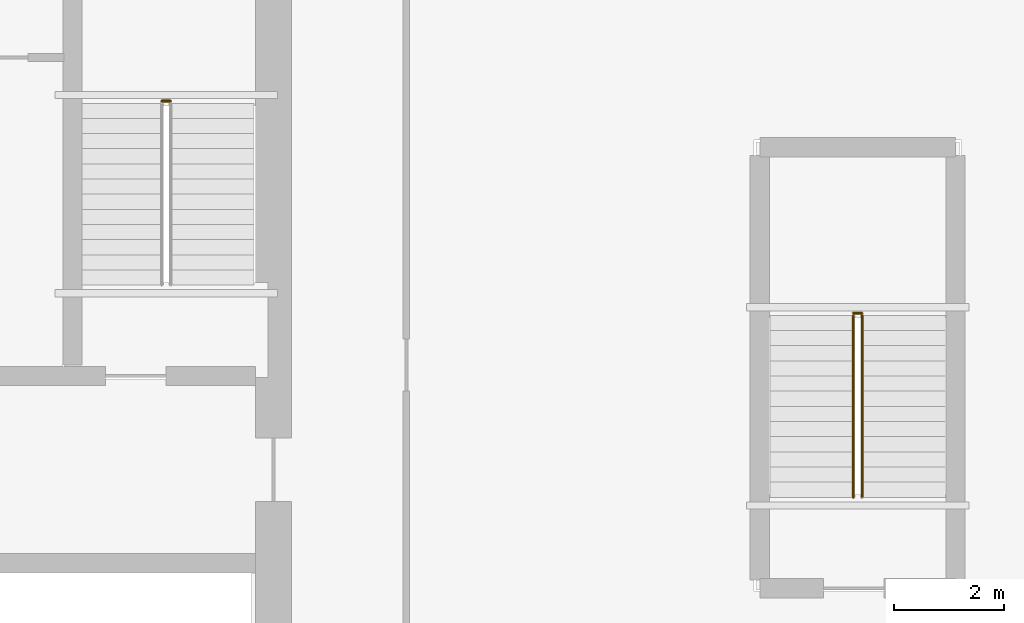
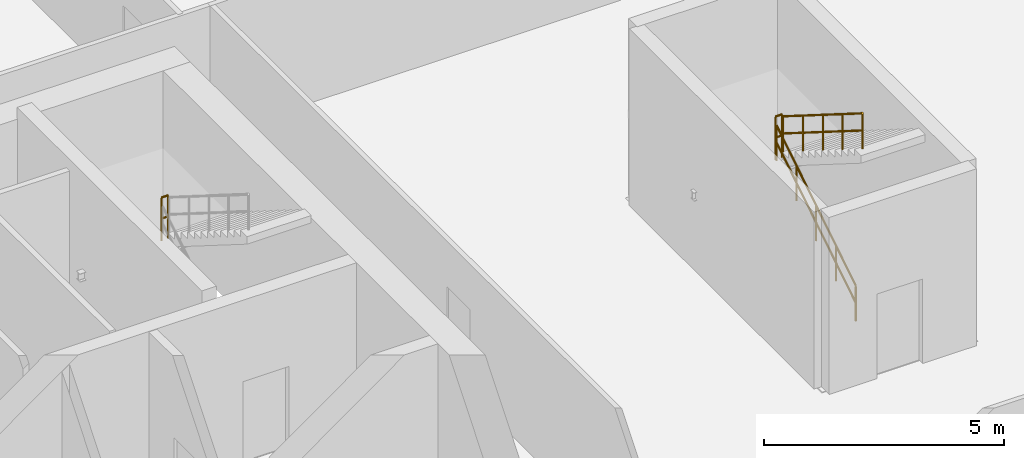
# One storey, part 31 of 31: 4 railings.
"""IFC4 building model written with IfcOpenShell, lengths in metres."""

from ifc_helpers import new_model, si_unit, direction, frame, origin, origin_2d, place, context, subcontext, project, spatial, circle, extrude, material, type_object, element, save


model = new_model("IFC4")

# Units and contexts
model_context = context("Model", 3, precision=1e-05, world=origin(), true_north=direction((0.0, 1.0)))
body_context = subcontext(model_context, "Body", "Model", "MODEL_VIEW")
ifc_project = project(units=[si_unit("LENGTHUNIT", "METRE"), si_unit("AREAUNIT", "SQUARE_METRE"), si_unit("VOLUMEUNIT", "CUBIC_METRE"), si_unit("PLANEANGLEUNIT", "RADIAN"), si_unit("MASSUNIT", "GRAM", prefix="KILO")], contexts=[model_context])

# Site, building, storey
site_placement = place(None, origin())
site = spatial("IfcSite", under=ifc_project, at=site_placement, CompositionType="ELEMENT")
building_placement = place(site_placement, origin())
building = spatial("IfcBuilding", under=site, at=building_placement, Name="Caelvoria Tower", CompositionType="ELEMENT")
storey_placement = place(building_placement, frame((0.0, 0.0, 9.5)))
storey = spatial("IfcBuildingStorey", under=building, at=storey_placement, Name="L02", CompositionType="ELEMENT", Elevation=9.5)

# Railings
ifc_material_1 = material(Name="Brushed Stainless Steel Tube", Category="steel")
railing_type_1 = type_object("IfcRailingType", Name="Stair Tubular Stainless Handrail 920", PredefinedType="HANDRAIL", material=ifc_material_1)
railing_1_placement = place(storey_placement, frame((65.52001953125, 29.60009765625, 0.173095703125)))
element("IfcRailing", 1, at=railing_1_placement, inside=storey, type_object=railing_type_1, Name="ST-04 Flight 1 Handrail L02", PredefinedType="HANDRAIL", context=body_context, shape_type="SweptSolid", body=[
    extrude(circle(Radius=0.02392578125, at=origin_2d()), frame((0.0, 0.0, 0.89599609375), z_axis=(0.0, 0.846319618018, 0.532675421018), x_axis=(-1.0, 0.0, 0.0)), (0.0, 0.0, 1.0), 3.89892578125),
    extrude(circle(Radius=0.02392578125, at=origin_2d()), frame((0.0, 0.0, 0.4599609375), z_axis=(0.0, 0.846319618018, 0.532675421018), x_axis=(-1.0, 0.0, 0.0)), (0.0, 0.0, 1.0), 3.89892578125),
    extrude(circle(Radius=0.02099609375, at=origin_2d()), origin(), (0.0, 0.0, 1.0), 0.871826171875),
    extrude(circle(Radius=0.02099609375, at=origin_2d()), frame((0.0, 0.824951171875, 0.519287109375)), (0.0, 0.0, 1.0), 0.871826171875),
    extrude(circle(Radius=0.02099609375, at=origin_2d()), frame((0.0, 1.64990234375, 1.03857421875)), (0.0, 0.0, 1.0), 0.871826171875),
    extrude(circle(Radius=0.02099609375, at=origin_2d()), frame((0.0, 2.474853515625, 1.5576171875)), (0.0, 0.0, 1.0), 0.871826171875),
    extrude(circle(Radius=0.02099609375, at=origin_2d()), frame((0.0, 3.2998046875, 2.076904296875)), (0.0, 0.0, 1.0), 0.871826171875),
])
railing_2_placement = place(storey_placement, frame((65.679931640625, 32.89990234375, 2.423095703125)))
element("IfcRailing", 2, at=railing_2_placement, inside=storey, type_object=railing_type_1, Name="ST-04 Flight 2 Handrail L02", PredefinedType="HANDRAIL", context=body_context, shape_type="SweptSolid", body=[
    extrude(circle(Radius=0.02392578125, at=origin_2d()), frame((0.0, 0.0, 0.89599609375), z_axis=(0.0, -0.846319618018, 0.532675421018), x_axis=(1.0, 0.0, 0.0)), (0.0, 0.0, 1.0), 3.89892578125),
    extrude(circle(Radius=0.02392578125, at=origin_2d()), frame((0.0, 0.0, 0.4599609375), z_axis=(0.0, -0.846319618018, 0.532675421018), x_axis=(1.0, 0.0, 0.0)), (0.0, 0.0, 1.0), 3.89892578125),
    extrude(circle(Radius=0.02099609375, at=origin_2d()), origin(), (0.0, 0.0, 1.0), 0.871826171875),
    extrude(circle(Radius=0.02099609375, at=origin_2d()), frame((0.0, -0.824951171875, 0.519287109375)), (0.0, 0.0, 1.0), 0.871826171875),
    extrude(circle(Radius=0.02099609375, at=origin_2d()), frame((0.0, -1.64990234375, 1.03857421875)), (0.0, 0.0, 1.0), 0.871826171875),
    extrude(circle(Radius=0.02099609375, at=origin_2d()), frame((0.0, -2.474853515625, 1.5576171875)), (0.0, 0.0, 1.0), 0.871826171875),
    extrude(circle(Radius=0.02099609375, at=origin_2d()), frame((0.0, -3.2998046875, 2.076904296875)), (0.0, 0.0, 1.0), 0.871826171875),
])
ifc_material_2 = material(Name="Brushed Stainless Steel Guardrail", Category="steel")
railing_type_2 = type_object("IfcRailingType", Name="Stair Well and Ramp Guardrail 1120", PredefinedType="GUARDRAIL", material=ifc_material_2)
for number, where, name in (
    (3, (52.969970703125, 36.7900390625, 2.25), "ST-02 Half-Landing Well Guard L02"),
    (4, (65.52001953125, 32.93994140625, 2.25), "ST-04 Half-Landing Well Guard L02"),
):
    element("IfcRailing", number, at=place(storey_placement, frame(where)), inside=storey, type_object=railing_type_2, Name=name, PredefinedType="GUARDRAIL", context=body_context, shape_type="SweptSolid", body=[
        extrude(circle(Radius=0.02392578125, at=origin_2d()), frame((0.0, 0.0, 1.09619140625), z_axis=(1.0, 0.0, 0.0), x_axis=(0.0, 1.0, 0.0)), (0.0, 0.0, 1.0), 0.159912109375),
        extrude(circle(Radius=0.02392578125, at=origin_2d()), frame((0.0, 0.0, 0.56005859375), z_axis=(1.0, 0.0, 0.0), x_axis=(0.0, 1.0, 0.0)), (0.0, 0.0, 1.0), 0.159912109375),
        extrude(circle(Radius=0.02099609375, at=origin_2d()), origin(), (0.0, 0.0, 1.0), 1.072021484375),
        extrude(circle(Radius=0.02099609375, at=origin_2d()), frame((0.159912109375, 0.0, 0.0)), (0.0, 0.0, 1.0), 1.072021484375),
    ])

save(model, "model.ifc")
